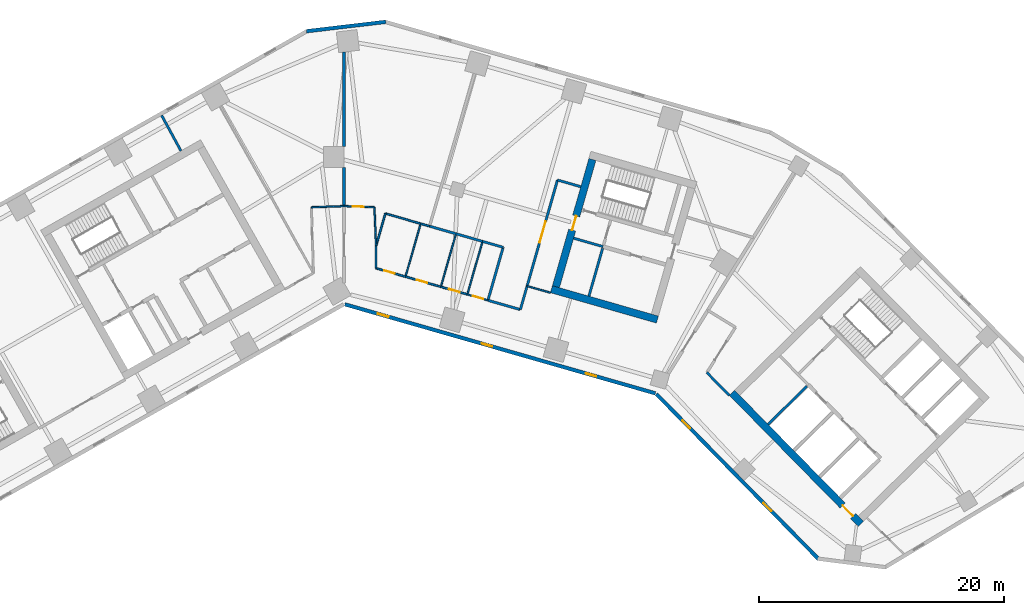
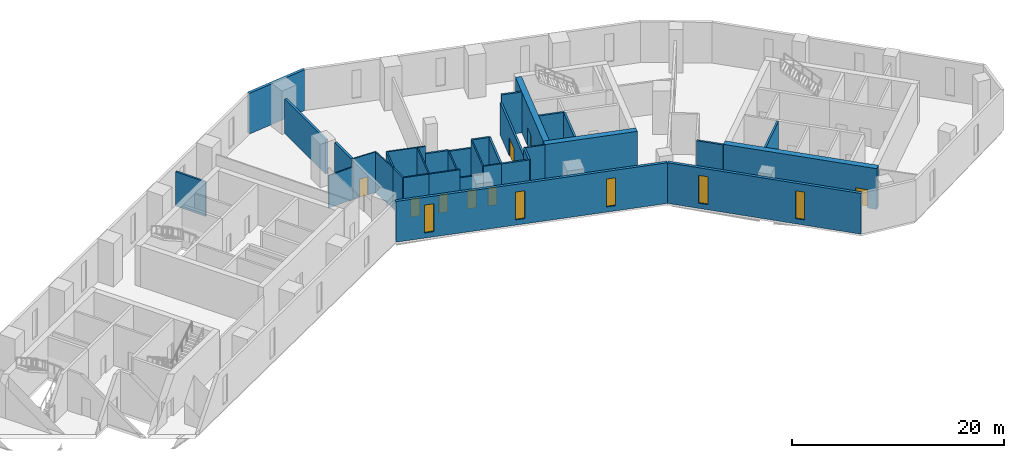
# One storey, part 5 of 10: 36 walls, 8 doors, 5 windows, 13 openings.
"""IFC4 building model written with IfcOpenShell, lengths in metres."""

from ifc_helpers import new_model, si_unit, direction, frame, frame_2d, origin, place, context, subcontext, project, spatial, rectangle, extrude, material, layer, layer_set, type_object, element, fill, save


model = new_model("IFC4")

# Units and contexts
model_context = context("Model", 3, precision=1e-05, world=origin(), true_north=direction((0.0, 1.0)))
body_context = subcontext(model_context, "Body", "Model", "MODEL_VIEW")
ifc_project = project(units=[si_unit("LENGTHUNIT", "METRE"), si_unit("AREAUNIT", "SQUARE_METRE"), si_unit("VOLUMEUNIT", "CUBIC_METRE"), si_unit("PLANEANGLEUNIT", "RADIAN"), si_unit("MASSUNIT", "GRAM", prefix="KILO")], contexts=[model_context])

# Site, building, storey
site_placement = place(None, origin())
site = spatial("IfcSite", under=ifc_project, at=site_placement, CompositionType="ELEMENT")
building_placement = place(site_placement, origin())
building = spatial("IfcBuilding", under=site, at=building_placement, Name="Binnacle Exchange Tower", CompositionType="ELEMENT")
storey_placement = place(building_placement, frame((0.0, 0.0, 51.5)))
storey = spatial("IfcBuildingStorey", under=building, at=storey_placement, Name="L10", CompositionType="ELEMENT", Elevation=51.5)

# Wall, opening, door
ifc_material_1 = material(Name="Concrete C70/85", Category="concrete")
ifc_layer_1 = layer(ifc_material_1, 0.60009765625)
ifc_layer_set_1 = layer_set([ifc_layer_1], Name="Core wall - outer 600")
wall_type_1 = type_object("IfcWallType", Name="Core wall - outer 600", PredefinedType="SOLIDWALL", material=ifc_layer_set_1)
wall_1_placement = place(storey_placement, frame((31.6455078125, 40.7626953125, 0.0), z_axis=(0.0, 0.0, 1.0), x_axis=(0.700911255944, -0.713248491965, 0.0)))
wall_1 = element("IfcWall", 1, at=wall_1_placement, inside=storey, type_object=wall_type_1, Name="Core wall CRWB1", PredefinedType="SOLIDWALL", context=body_context, shape_type="SweptSolid", body=[
    extrude(rectangle(XDim=15.0, YDim=0.60009765625, at=frame_2d((7.5, 0.0))), origin(), (0.0, 0.0, 1.0), 4.679931640625),
])
opening_1_placement = place(wall_1_placement, frame((12.89990234375, 0.0, 0.0)))
opening_1 = element("IfcOpeningElement", 2, at=opening_1_placement, cuts=wall_1, Name="Opening DB7", PredefinedType="OPENING", context=body_context, shape_type="SweptSolid", body=[
    extrude(rectangle(XDim=1.199951171875, YDim=2.10009765625, at=frame_2d((0.60009765625, 1.050048828125))), frame((0.0, 0.31005859375, 0.0), z_axis=(0.0, -1.0, 0.0), x_axis=(1.0, 0.0, 0.0)), (0.0, 0.0, 1.0), 0.6201171875),
])
ifc_material_2 = material(Name="Steel door leaf", Category="steel")
door_type_1 = type_object("IfcDoorType", Name="Fire door 1200", OperationType="NOTDEFINED", PredefinedType="DOOR", material=ifc_material_2)
door_1_placement = place(opening_1_placement, frame((1.199951171875, 0.0, 0.0), z_axis=(0.0, 0.0, 1.0), x_axis=(-1.0, 0.0, 0.0)))
door_1 = element("IfcDoor", 3, at=door_1_placement, inside=storey, type_object=door_type_1, Name="Lift lobby entrance door core B", OperationType="SINGLE_SWING_LEFT", OverallHeight=2.10009765625, OverallWidth=1.199951171875, PredefinedType="DOOR", context=body_context, shape_type="SweptSolid", body=[
    extrude(rectangle(XDim=1.199951171875, YDim=2.10009765625, at=frame_2d((0.60009765625, 1.050048828125))), frame((0.0, 0.02490234375, 0.0), z_axis=(0.0, -1.0, 0.0), x_axis=(1.0, 0.0, 0.0)), (0.0, 0.0, 1.0), 0.050048828125),
])
fill(opening_1, door_1)

# Wall
wall_2_placement = place(storey_placement, frame((16.91064453125, 49.22119140625, 0.0), z_axis=(0.0, 0.0, 1.0), x_axis=(0.96126248289, -0.275634611374, 0.0)))
element("IfcWall", 4, at=wall_2_placement, inside=storey, type_object=wall_type_1, Name="Core wall CRWD1", PredefinedType="SOLIDWALL", context=body_context, shape_type="SweptSolid", body=[
    extrude(rectangle(XDim=9.0, YDim=0.60009765625, at=frame_2d((4.5, 0.0))), origin(), (0.0, 0.0, 1.0), 4.679931640625),
])

# Wall, opening, door
wall_3_placement = place(storey_placement, frame((17.28173828125, 49.427001953125, 0.0), z_axis=(0.0, 0.0, 1.0), x_axis=(0.275631631629, 0.961263337304, 0.0)))
wall_3 = element("IfcWall", 5, at=wall_3_placement, inside=storey, type_object=wall_type_1, Name="Core wall CRWD7", PredefinedType="SOLIDWALL", context=body_context, shape_type="SweptSolid", body=[
    extrude(rectangle(XDim=10.800048828125, YDim=0.60009765625, at=frame_2d((5.39990234375, 0.0))), origin(), (0.0, 0.0, 1.0), 4.679931640625),
])
opening_2_placement = place(wall_3_placement, frame((4.800048828125, 0.0, 0.0)))
opening_2 = element("IfcOpeningElement", 6, at=opening_2_placement, cuts=wall_3, Name="Opening DD5", PredefinedType="OPENING", context=body_context, shape_type="SweptSolid", body=[
    extrude(rectangle(XDim=1.199951171875, YDim=2.10009765625, at=frame_2d((0.60009765625, 1.050048828125))), frame((0.0, 0.31005859375, 0.0), z_axis=(0.0, -1.0, 0.0), x_axis=(1.0, 0.0, 0.0)), (0.0, 0.0, 1.0), 0.6201171875),
])
door_2_placement = place(opening_2_placement, origin())
door_2 = element("IfcDoor", 7, at=door_2_placement, inside=storey, type_object=door_type_1, Name="Vestibule exit door VEST-W", OperationType="SINGLE_SWING_RIGHT", OverallHeight=2.10009765625, OverallWidth=1.199951171875, PredefinedType="DOOR", context=body_context, shape_type="SweptSolid", body=[
    extrude(rectangle(XDim=1.199951171875, YDim=2.10009765625, at=frame_2d((0.60009765625, 1.050048828125))), frame((0.0, 0.02490234375, 0.0), z_axis=(0.0, -1.0, 0.0), x_axis=(1.0, 0.0, 0.0)), (0.0, 0.0, 1.0), 0.050048828125),
])
fill(opening_2, door_2)

# Wall
ifc_material_3 = material(Name="Bronze aluminium cladding", Category="aluminium")
ifc_layer_2 = layer(ifc_material_3, 0.300048828125)
ifc_layer_set_2 = layer_set([ifc_layer_2], Name="External wall - spandrel 300")
wall_type_2 = type_object("IfcWallType", Name="External wall - spandrel 300", PredefinedType="STANDARD", material=ifc_layer_set_2)
wall_4_placement = place(storey_placement, frame((-3.076171875, 70.27294921875, 0.0), z_axis=(0.0, 0.0, 1.0), x_axis=(0.993067743007, 0.117543429416, 0.0)))
element("IfcWall", 8, at=wall_4_placement, inside=storey, type_object=wall_type_2, Name="External wall EW-F02 L10", PredefinedType="STANDARD", context=body_context, shape_type="SweptSolid", body=[
    extrude(rectangle(XDim=6.515625, YDim=0.300048828125, at=frame_2d((3.2578125, 0.0))), origin(), (0.0, 0.0, 1.0), 4.679931640625),
])

# Wall, openings, windows
wall_5_placement = place(storey_placement, frame((25.398193359375, 40.71728515625, 0.0), z_axis=(0.0, 0.0, 1.0), x_axis=(-0.961262423262, 0.275634819324, 0.0)))
wall_5 = element("IfcWall", 9, at=wall_5_placement, inside=storey, type_object=wall_type_2, Name="External wall EW-F08 L10", PredefinedType="STANDARD", context=body_context, shape_type="SweptSolid", body=[
    extrude(rectangle(XDim=26.358642578125, YDim=0.300048828125, at=frame_2d((13.17919921875, 0.0))), origin(), (0.0, 0.0, 1.0), 4.679931640625),
])
opening_3_placement = place(wall_5_placement, frame((22.6640625, 0.0, 0.60009765625)))
opening_3 = element("IfcOpeningElement", 10, at=opening_3_placement, cuts=wall_5, Name="Opening WS1", PredefinedType="OPENING", context=body_context, shape_type="SweptSolid", body=[
    extrude(rectangle(XDim=0.89990234375, YDim=3.199951171875, at=frame_2d((0.449951171875, 1.60009765625))), frame((0.0, 0.159912109375, 0.0), z_axis=(0.0, -1.0, 0.0), x_axis=(1.0, 0.0, 0.0)), (0.0, 0.0, 1.0), 0.320068359375),
])
opening_4_placement = place(wall_5_placement, frame((13.843505859375, 0.0, 0.60009765625)))
opening_4 = element("IfcOpeningElement", 11, at=opening_4_placement, cuts=wall_5, Name="Opening WS1", PredefinedType="OPENING", context=body_context, shape_type="SweptSolid", body=[
    extrude(rectangle(XDim=0.89990234375, YDim=3.199951171875, at=frame_2d((0.449951171875, 1.60009765625))), frame((0.0, 0.159912109375, 0.0), z_axis=(0.0, -1.0, 0.0), x_axis=(1.0, 0.0, 0.0)), (0.0, 0.0, 1.0), 0.320068359375),
])
opening_5_placement = place(wall_5_placement, frame((5.023193359375, 0.0, 0.60009765625)))
opening_5 = element("IfcOpeningElement", 12, at=opening_5_placement, cuts=wall_5, Name="Opening WS1", PredefinedType="OPENING", context=body_context, shape_type="SweptSolid", body=[
    extrude(rectangle(XDim=0.89990234375, YDim=3.199951171875, at=frame_2d((0.449951171875, 1.60009765625))), frame((0.0, 0.159912109375, 0.0), z_axis=(0.0, -1.0, 0.0), x_axis=(1.0, 0.0, 0.0)), (0.0, 0.0, 1.0), 0.320068359375),
])
ifc_material_4 = material(Name="Bronze anodised aluminium frame", Category="aluminium")
window_type = type_object("IfcWindowType", Name="WS1 WINDOW 900x3200", PartitioningType="SINGLE_PANEL", PredefinedType="WINDOW", material=ifc_material_4)
window_1_placement = place(opening_3_placement, origin())
window_1 = element("IfcWindow", 13, at=window_1_placement, inside=storey, type_object=window_type, Name="Window WS1 L10", OverallHeight=3.199951171875, OverallWidth=0.89990234375, PartitioningType="SINGLE_PANEL", PredefinedType="WINDOW", context=body_context, shape_type="SweptSolid", body=[
    extrude(rectangle(XDim=0.89990234375, YDim=3.199951171875, at=frame_2d((0.449951171875, 1.60009765625))), frame((0.0, 0.030029296875, 0.0), z_axis=(0.0, -1.0, 0.0), x_axis=(1.0, 0.0, 0.0)), (0.0, 0.0, 1.0), 0.06005859375),
])
fill(opening_3, window_1)
window_2_placement = place(opening_4_placement, origin())
window_2 = element("IfcWindow", 14, at=window_2_placement, inside=storey, type_object=window_type, Name="Window WS1 L10", OverallHeight=3.199951171875, OverallWidth=0.89990234375, PartitioningType="SINGLE_PANEL", PredefinedType="WINDOW", context=body_context, shape_type="SweptSolid", body=[
    extrude(rectangle(XDim=0.89990234375, YDim=3.199951171875, at=frame_2d((0.449951171875, 1.60009765625))), frame((0.0, 0.030029296875, 0.0), z_axis=(0.0, -1.0, 0.0), x_axis=(1.0, 0.0, 0.0)), (0.0, 0.0, 1.0), 0.06005859375),
])
fill(opening_4, window_2)
window_3_placement = place(opening_5_placement, origin())
window_3 = element("IfcWindow", 15, at=window_3_placement, inside=storey, type_object=window_type, Name="Window WS1 L10", OverallHeight=3.199951171875, OverallWidth=0.89990234375, PartitioningType="SINGLE_PANEL", PredefinedType="WINDOW", context=body_context, shape_type="SweptSolid", body=[
    extrude(rectangle(XDim=0.89990234375, YDim=3.199951171875, at=frame_2d((0.449951171875, 1.60009765625))), frame((0.0, 0.030029296875, 0.0), z_axis=(0.0, -1.0, 0.0), x_axis=(1.0, 0.0, 0.0)), (0.0, 0.0, 1.0), 0.06005859375),
])
fill(opening_5, window_3)

wall_6_placement = place(storey_placement, frame((38.727294921875, 27.18115234375, 0.0), z_axis=(0.0, 0.0, 1.0), x_axis=(-0.700906405975, 0.713253258011, 0.0)))
wall_6 = element("IfcWall", 16, at=wall_6_placement, inside=storey, type_object=wall_type_2, Name="External wall EW-F09 L10", PredefinedType="STANDARD", context=body_context, shape_type="SweptSolid", body=[
    extrude(rectangle(XDim=18.92333984375, YDim=0.300048828125, at=frame_2d((9.461669921875, 0.0))), origin(), (0.0, 0.0, 1.0), 4.679931640625),
])
opening_6_placement = place(wall_6_placement, frame((14.967041015625, 0.0, 0.60009765625)))
opening_6 = element("IfcOpeningElement", 17, at=opening_6_placement, cuts=wall_6, Name="Opening WS1", PredefinedType="OPENING", context=body_context, shape_type="SweptSolid", body=[
    extrude(rectangle(XDim=0.89990234375, YDim=3.199951171875, at=frame_2d((0.449951171875, 1.60009765625))), frame((0.0, 0.159912109375, 0.0), z_axis=(0.0, -1.0, 0.0), x_axis=(1.0, 0.0, 0.0)), (0.0, 0.0, 1.0), 0.320068359375),
])
opening_7_placement = place(wall_6_placement, frame((5.51171875, 0.0, 0.60009765625)))
opening_7 = element("IfcOpeningElement", 18, at=opening_7_placement, cuts=wall_6, Name="Opening WS1", PredefinedType="OPENING", context=body_context, shape_type="SweptSolid", body=[
    extrude(rectangle(XDim=0.89990234375, YDim=3.199951171875, at=frame_2d((0.449951171875, 1.60009765625))), frame((0.0, 0.159912109375, 0.0), z_axis=(0.0, -1.0, 0.0), x_axis=(1.0, 0.0, 0.0)), (0.0, 0.0, 1.0), 0.320068359375),
])
window_4_placement = place(opening_6_placement, origin())
window_4 = element("IfcWindow", 19, at=window_4_placement, inside=storey, type_object=window_type, Name="Window WS1 L10", OverallHeight=3.199951171875, OverallWidth=0.89990234375, PartitioningType="SINGLE_PANEL", PredefinedType="WINDOW", context=body_context, shape_type="SweptSolid", body=[
    extrude(rectangle(XDim=0.89990234375, YDim=3.199951171875, at=frame_2d((0.449951171875, 1.60009765625))), frame((0.0, 0.030029296875, 0.0), z_axis=(0.0, -1.0, 0.0), x_axis=(1.0, 0.0, 0.0)), (0.0, 0.0, 1.0), 0.06005859375),
])
fill(opening_6, window_4)
window_5_placement = place(opening_7_placement, origin())
window_5 = element("IfcWindow", 20, at=window_5_placement, inside=storey, type_object=window_type, Name="Window WS1 L10", OverallHeight=3.199951171875, OverallWidth=0.89990234375, PartitioningType="SINGLE_PANEL", PredefinedType="WINDOW", context=body_context, shape_type="SweptSolid", body=[
    extrude(rectangle(XDim=0.89990234375, YDim=3.199951171875, at=frame_2d((0.449951171875, 1.60009765625))), frame((0.0, 0.030029296875, 0.0), z_axis=(0.0, -1.0, 0.0), x_axis=(1.0, 0.0, 0.0)), (0.0, 0.0, 1.0), 0.06005859375),
])
fill(opening_7, window_5)

# Walls
ifc_material_5 = material(Name="Masonry block wall", Category="masonry")
ifc_layer_3 = layer(ifc_material_5, 0.199951171875)
ifc_layer_set_3 = layer_set([ifc_layer_3], Name="Fire wall - block 200")
wall_type_3 = type_object("IfcWallType", Name="Fire wall - block 200", PredefinedType="PARTITIONING", material=ifc_layer_set_3)
wall_7_placement = place(storey_placement, frame((-14.89404296875, 63.40087890625, 0.0), z_axis=(0.0, 0.0, 1.0), x_axis=(0.478389929376, -0.878147524891, 0.0)))
element("IfcWall", 21, at=wall_7_placement, inside=storey, type_object=wall_type_3, Name="Partition W05", PredefinedType="PARTITIONING", context=body_context, shape_type="SweptSolid", body=[
    extrude(rectangle(XDim=3.294189453125, YDim=0.199951171875, at=frame_2d((1.64697265625, 0.0))), origin(), (0.0, 0.0, 1.0), 3.9599609375),
])
wall_8_placement = place(storey_placement, frame((6.966064453125, 54.362060546875, 0.0), z_axis=(0.0, 0.0, 1.0), x_axis=(0.961154610169, -0.276010534854, 0.0)))
element("IfcWall", 22, at=wall_8_placement, inside=storey, type_object=wall_type_3, Name="Partition W22", PredefinedType="PARTITIONING", context=body_context, shape_type="SweptSolid", body=[
    extrude(rectangle(XDim=2.250244140625, YDim=0.199951171875, at=frame_2d((1.125, 0.0))), origin(), (0.0, 0.0, 1.0), 3.85205078125),
])
wall_9_placement = place(storey_placement, frame((9.12890625, 53.740966796875, 0.0), z_axis=(0.0, 0.0, 1.0), x_axis=(0.961273691875, -0.275595517578, 0.0)))
element("IfcWall", 23, at=wall_9_placement, inside=storey, type_object=wall_type_3, Name="Partition W26", PredefinedType="PARTITIONING", context=body_context, shape_type="SweptSolid", body=[
    extrude(rectangle(XDim=2.249267578125, YDim=0.199951171875, at=frame_2d((1.12451171875, 0.0))), origin(), (0.0, 0.0, 1.0), 3.741943359375),
])
wall_10_placement = place(storey_placement, frame((11.291015625, 53.12109375, 0.0), z_axis=(0.0, 0.0, 1.0), x_axis=(0.961329010357, -0.275402494264, 0.0)))
element("IfcWall", 24, at=wall_10_placement, inside=storey, type_object=wall_type_3, Name="Partition W29", PredefinedType="PARTITIONING", context=body_context, shape_type="SweptSolid", body=[
    extrude(rectangle(XDim=1.750732421875, YDim=0.199951171875, at=frame_2d((0.87548828125, 0.0))), origin(), (0.0, 0.0, 1.0), 4.679931640625),
])
wall_11_placement = place(storey_placement, frame((11.73291015625, 48.31298828125, 0.0), z_axis=(0.0, 0.0, 1.0), x_axis=(0.275795676316, 0.961216284155, 0.0)))
element("IfcWall", 25, at=wall_11_placement, inside=storey, type_object=wall_type_3, Name="Partition W30", PredefinedType="PARTITIONING", context=body_context, shape_type="SweptSolid", body=[
    extrude(rectangle(XDim=4.50048828125, YDim=0.199951171875, at=frame_2d((2.250244140625, 0.0))), origin(), (0.0, 0.0, 1.0), 4.679931640625),
])
wall_12_placement = place(storey_placement, frame((11.73291015625, 48.31298828125, 0.0), z_axis=(0.0, 0.0, 1.0), x_axis=(0.961272337704, -0.275600240865, 0.0)))
element("IfcWall", 26, at=wall_12_placement, inside=storey, type_object=wall_type_3, Name="Partition W31", PredefinedType="PARTITIONING", context=body_context, shape_type="SweptSolid", body=[
    extrude(rectangle(XDim=2.75048828125, YDim=0.199951171875, at=frame_2d((1.375244140625, 0.0))), origin(), (0.0, 0.0, 1.0), 4.679931640625),
])
wall_13_placement = place(storey_placement, frame((14.376953125, 47.554931640625, 0.0), z_axis=(0.0, 0.0, 1.0), x_axis=(0.275446387355, 0.961316434736, 0.0)))
element("IfcWall", 27, at=wall_13_placement, inside=storey, type_object=wall_type_3, Name="Partition W32", PredefinedType="PARTITIONING", context=body_context, shape_type="SweptSolid", body=[
    extrude(rectangle(XDim=2.00048828125, YDim=0.199951171875, at=frame_2d((1.000244140625, 0.0))), origin(), (0.0, 0.0, 1.0), 4.679931640625),
])

# Wall, opening, door
wall_14_placement = place(storey_placement, frame((14.927978515625, 49.47802734375, 0.0), z_axis=(0.0, 0.0, 1.0), x_axis=(0.275674053528, 0.961251172281, 0.0)))
wall_14 = element("IfcWall", 28, at=wall_14_placement, inside=storey, type_object=wall_type_3, Name="Partition W34", PredefinedType="PARTITIONING", context=body_context, shape_type="SweptSolid", body=[
    extrude(rectangle(XDim=8.99951171875, YDim=0.199951171875, at=frame_2d((4.499755859375, 0.0))), origin(), (0.0, 0.0, 1.0), 3.741943359375),
])
opening_8_placement = place(wall_14_placement, frame((3.699951171875, 0.0, 0.0)))
opening_8 = element("IfcOpeningElement", 29, at=opening_8_placement, cuts=wall_14, Name="Opening DL08-10", PredefinedType="OPENING", context=body_context, shape_type="SweptSolid", body=[
    extrude(rectangle(XDim=1.800048828125, YDim=2.10009765625, at=frame_2d((0.89990234375, 1.050048828125))), frame((0.0, 0.10986328125, 0.0), z_axis=(0.0, -1.0, 0.0), x_axis=(1.0, 0.0, 0.0)), (0.0, 0.0, 1.0), 0.219970703125),
])
door_type_2 = type_object("IfcDoorType", Name="Fire door 1800", OperationType="NOTDEFINED", PredefinedType="DOOR", material=ifc_material_2)
door_3_placement = place(opening_8_placement, origin())
door_3 = element("IfcDoor", 30, at=door_3_placement, inside=storey, type_object=door_type_2, Name="Door DL08-10", OperationType="DOUBLE_DOOR_SINGLE_SWING", OverallHeight=2.10009765625, OverallWidth=1.800048828125, PredefinedType="DOOR", context=body_context, shape_type="SweptSolid", body=[
    extrude(rectangle(XDim=1.800048828125, YDim=2.10009765625, at=frame_2d((0.89990234375, 1.050048828125))), frame((0.0, 0.02490234375, 0.0), z_axis=(0.0, -1.0, 0.0), x_axis=(1.0, 0.0, 0.0)), (0.0, 0.0, 1.0), 0.050048828125),
])
fill(opening_8, door_3)

# Walls
wall_15_placement = place(storey_placement, frame((17.408935546875, 58.12890625, 0.0), z_axis=(0.0, 0.0, 1.0), x_axis=(0.961253165474, -0.275667103345, 0.0)))
element("IfcWall", 31, at=wall_15_placement, inside=storey, type_object=wall_type_3, Name="Partition W35", PredefinedType="PARTITIONING", context=body_context, shape_type="SweptSolid", body=[
    extrude(rectangle(XDim=1.976806640625, YDim=0.199951171875, at=frame_2d((0.98828125, 0.0))), origin(), (0.0, 0.0, 1.0), 4.679931640625),
])
wall_16_placement = place(storey_placement, frame((29.60009765625, 42.416015625, 0.0), z_axis=(0.0, 0.0, 1.0), x_axis=(0.700914320664, -0.713245480244, 0.0)))
element("IfcWall", 32, at=wall_16_placement, inside=storey, type_object=wall_type_3, Name="Partition W38", PredefinedType="PARTITIONING", context=body_context, shape_type="SweptSolid", body=[
    extrude(rectangle(XDim=2.613525390625, YDim=0.199951171875, at=frame_2d((1.306640625, 0.0))), origin(), (0.0, 0.0, 1.0), 4.679931640625),
])
ifc_material_6 = material(Name="Concrete fire wall C30/37", Category="concrete")
ifc_layer_4 = layer(ifc_material_6, 0.25)
ifc_layer_set_4 = layer_set([ifc_layer_4], Name="Fire wall - compartment 250")
wall_type_4 = type_object("IfcWallType", Name="Fire wall - compartment 250", PredefinedType="PARTITIONING", material=ifc_layer_set_4)
wall_17_placement = place(storey_placement, frame((0.0, 56.0, 0.0), z_axis=(0.0, 0.0, 1.0), x_axis=(0.0, 1.0, 0.0)))
element("IfcWall", 33, at=wall_17_placement, inside=storey, type_object=wall_type_4, Name="Fire Wall W11", PredefinedType="PARTITIONING", context=body_context, shape_type="SweptSolid", body=[
    extrude(rectangle(XDim=3.14990234375, YDim=0.25, at=frame_2d((1.574951171875, 0.0))), origin(), (0.0, 0.0, 1.0), 4.679931640625),
])
wall_18_placement = place(storey_placement, frame((0.0, 60.85009765625, 0.0), z_axis=(0.0, 0.0, 1.0), x_axis=(0.0, 1.0, 0.0)))
element("IfcWall", 34, at=wall_18_placement, inside=storey, type_object=wall_type_4, Name="Fire Wall W13", PredefinedType="PARTITIONING", context=body_context, shape_type="SweptSolid", body=[
    extrude(rectangle(XDim=7.722900390625, YDim=0.25, at=frame_2d((3.861328125, 0.0))), origin(), (0.0, 0.0, 1.0), 3.951904296875),
])
ifc_material_7 = material(Name="Gypsum partition fire rated")
ifc_layer_5 = layer(ifc_material_7, 0.14990234375)
ifc_layer_set_5 = layer_set([ifc_layer_5], Name="Fire-rated partition 150")
wall_type_5 = type_object("IfcWallType", Name="Fire-rated partition 150", PredefinedType="PARTITIONING", material=ifc_layer_set_5)
wall_19_placement = place(storey_placement, frame((2.60107421875, 50.931884765625, 0.0), z_axis=(0.0, 0.0, 1.0), x_axis=(0.001073104681, 0.999999424223, 0.0)))
element("IfcWall", 35, at=wall_19_placement, inside=storey, type_object=wall_type_5, Name="Partition W15", PredefinedType="PARTITIONING", context=body_context, shape_type="SweptSolid", body=[
    extrude(rectangle(XDim=1.820068359375, YDim=0.14990234375, at=frame_2d((0.91015625, 0.0))), origin(), (0.0, 0.0, 1.0), 4.679931640625),
])

# Wall, opening, door
wall_20_placement = place(storey_placement, frame((2.60107421875, 50.931884765625, 0.0), z_axis=(0.0, 0.0, 1.0), x_axis=(0.961265528111, -0.275623991092, 0.0)))
wall_20 = element("IfcWall", 36, at=wall_20_placement, inside=storey, type_object=wall_type_5, Name="Partition W16", PredefinedType="PARTITIONING", context=body_context, shape_type="SweptSolid", body=[
    extrude(rectangle(XDim=2.499755859375, YDim=0.14990234375, at=frame_2d((1.25, 0.0))), origin(), (0.0, 0.0, 1.0), 4.679931640625),
])
opening_9_placement = place(wall_20_placement, frame((0.699951171875, 0.0, 0.0)))
opening_9 = element("IfcOpeningElement", 37, at=opening_9_placement, cuts=wall_20, Name="Opening DL08-05", PredefinedType="OPENING", context=body_context, shape_type="SweptSolid", body=[
    extrude(rectangle(XDim=0.89990234375, YDim=2.10009765625, at=frame_2d((0.449951171875, 1.050048828125))), frame((0.0, 0.0849609375, 0.0), z_axis=(0.0, -1.0, 0.0), x_axis=(1.0, 0.0, 0.0)), (0.0, 0.0, 1.0), 0.169921875),
])
door_type_3 = type_object("IfcDoorType", Name="Fire door 900", OperationType="NOTDEFINED", PredefinedType="DOOR", material=ifc_material_2)
door_4_placement = place(opening_9_placement, origin())
door_4 = element("IfcDoor", 38, at=door_4_placement, inside=storey, type_object=door_type_3, Name="Door DL08-05", OperationType="SINGLE_SWING_LEFT", OverallHeight=2.10009765625, OverallWidth=0.89990234375, PredefinedType="DOOR", context=body_context, shape_type="SweptSolid", body=[
    extrude(rectangle(XDim=0.89990234375, YDim=2.10009765625, at=frame_2d((0.449951171875, 1.050048828125))), frame((0.0, 0.02490234375, 0.0), z_axis=(0.0, -1.0, 0.0), x_axis=(1.0, 0.0, 0.0)), (0.0, 0.0, 1.0), 0.050048828125),
])
fill(opening_9, door_4)

# Walls
wall_21_placement = place(storey_placement, frame((2.60302734375, 52.751953125, 0.0), z_axis=(0.0, 0.0, 1.0), x_axis=(0.27569433145, 0.961245356611, 0.0)))
element("IfcWall", 39, at=wall_21_placement, inside=storey, type_object=wall_type_5, Name="Partition W17", PredefinedType="PARTITIONING", context=body_context, shape_type="SweptSolid", body=[
    extrude(rectangle(XDim=2.74951171875, YDim=0.14990234375, at=frame_2d((1.374755859375, 0.0))), origin(), (0.0, 0.0, 1.0), 4.679931640625),
])
wall_22_placement = place(storey_placement, frame((3.361083984375, 55.39501953125, 0.0), z_axis=(0.0, 0.0, 1.0), x_axis=(0.961268664977, -0.27561305073, 0.0)))
element("IfcWall", 40, at=wall_22_placement, inside=storey, type_object=wall_type_5, Name="Partition W18", PredefinedType="PARTITIONING", context=body_context, shape_type="SweptSolid", body=[
    extrude(rectangle(XDim=3.000244140625, YDim=0.14990234375, at=frame_2d((1.5, 0.0))), origin(), (0.0, 0.0, 1.0), 4.679931640625),
])

# Wall, opening, door
wall_23_placement = place(storey_placement, frame((5.00390625, 50.242919921875, 0.0), z_axis=(0.0, 0.0, 1.0), x_axis=(0.961268664977, -0.27561305073, 0.0)))
wall_23 = element("IfcWall", 41, at=wall_23_placement, inside=storey, type_object=wall_type_5, Name="Partition W20", PredefinedType="PARTITIONING", context=body_context, shape_type="SweptSolid", body=[
    extrude(rectangle(XDim=3.000244140625, YDim=0.14990234375, at=frame_2d((1.5, 0.0))), origin(), (0.0, 0.0, 1.0), 4.679931640625),
])
opening_10_placement = place(wall_23_placement, frame((0.949951171875, 0.0, 0.0)))
opening_10 = element("IfcOpeningElement", 42, at=opening_10_placement, cuts=wall_23, Name="Opening DL08-06", PredefinedType="OPENING", context=body_context, shape_type="SweptSolid", body=[
    extrude(rectangle(XDim=0.89990234375, YDim=2.10009765625, at=frame_2d((0.449951171875, 1.050048828125))), frame((0.0, 0.0849609375, 0.0), z_axis=(0.0, -1.0, 0.0), x_axis=(1.0, 0.0, 0.0)), (0.0, 0.0, 1.0), 0.169921875),
])
door_5_placement = place(opening_10_placement, origin())
door_5 = element("IfcDoor", 43, at=door_5_placement, inside=storey, type_object=door_type_3, Name="Door DL08-06", OperationType="SINGLE_SWING_LEFT", OverallHeight=2.10009765625, OverallWidth=0.89990234375, PredefinedType="DOOR", context=body_context, shape_type="SweptSolid", body=[
    extrude(rectangle(XDim=0.89990234375, YDim=2.10009765625, at=frame_2d((0.449951171875, 1.050048828125))), frame((0.0, 0.02490234375, 0.0), z_axis=(0.0, -1.0, 0.0), x_axis=(1.0, 0.0, 0.0)), (0.0, 0.0, 1.0), 0.050048828125),
])
fill(opening_10, door_5)

# Wall
wall_24_placement = place(storey_placement, frame((6.2451171875, 54.568115234375, 0.0), z_axis=(0.0, 0.0, 1.0), x_axis=(0.961499370144, -0.274807134575, 0.0)))
element("IfcWall", 44, at=wall_24_placement, inside=storey, type_object=wall_type_5, Name="Partition W21", PredefinedType="PARTITIONING", context=body_context, shape_type="SweptSolid", body=[
    extrude(rectangle(XDim=0.749755859375, YDim=0.14990234375, at=frame_2d((0.375, 0.0))), origin(), (0.0, 0.0, 1.0), 4.679931640625),
])

# Wall, opening, door
wall_25_placement = place(storey_placement, frame((7.887939453125, 49.416015625, 0.0), z_axis=(0.0, 0.0, 1.0), x_axis=(0.9611628742, -0.275981755301, 0.0)))
wall_25 = element("IfcWall", 45, at=wall_25_placement, inside=storey, type_object=wall_type_5, Name="Partition W25", PredefinedType="PARTITIONING", context=body_context, shape_type="SweptSolid", body=[
    extrude(rectangle(XDim=2.25048828125, YDim=0.14990234375, at=frame_2d((1.125244140625, 0.0))), origin(), (0.0, 0.0, 1.0), 3.741943359375),
])
opening_11_placement = place(wall_25_placement, frame((0.699951171875, 0.0, 0.0)))
opening_11 = element("IfcOpeningElement", 46, at=opening_11_placement, cuts=wall_25, Name="Opening DL08-07", PredefinedType="OPENING", context=body_context, shape_type="SweptSolid", body=[
    extrude(rectangle(XDim=0.89990234375, YDim=2.10009765625, at=frame_2d((0.449951171875, 1.050048828125))), frame((0.0, 0.0849609375, 0.0), z_axis=(0.0, -1.0, 0.0), x_axis=(1.0, 0.0, 0.0)), (0.0, 0.0, 1.0), 0.169921875),
])
door_6_placement = place(opening_11_placement, origin())
door_6 = element("IfcDoor", 47, at=door_6_placement, inside=storey, type_object=door_type_3, Name="Door DL08-07", OperationType="SINGLE_SWING_RIGHT", OverallHeight=2.10009765625, OverallWidth=0.89990234375, PredefinedType="DOOR", context=body_context, shape_type="SweptSolid", body=[
    extrude(rectangle(XDim=0.89990234375, YDim=2.10009765625, at=frame_2d((0.449951171875, 1.050048828125))), frame((0.0, 0.02490234375, 0.0), z_axis=(0.0, -1.0, 0.0), x_axis=(1.0, 0.0, 0.0)), (0.0, 0.0, 1.0), 0.050048828125),
])
fill(opening_11, door_6)

# Wall
ifc_material_8 = material(Name="Gypsum partition")
ifc_layer_6 = layer(ifc_material_8, 0.125)
ifc_layer_set_6 = layer_set([ifc_layer_6], Name="Partition 125")
wall_type_6 = type_object("IfcWallType", Name="Partition 125", PredefinedType="PARTITIONING", material=ifc_layer_set_6)
wall_26_placement = place(storey_placement, frame((-2.669921875, 55.904052734375, 0.0), z_axis=(0.0, 0.0, 1.0), x_axis=(0.999354913865, 0.03591317494, 0.0)))
element("IfcWall", 48, at=wall_26_placement, inside=storey, type_object=wall_type_6, Name="Partition W09", PredefinedType="PARTITIONING", context=body_context, shape_type="SweptSolid", body=[
    extrude(rectangle(XDim=2.671630859375, YDim=0.125, at=frame_2d((1.3359375, 0.0))), origin(), (0.0, 0.0, 1.0), 3.741943359375),
])

# Wall, opening, door
wall_27_placement = place(storey_placement, frame((0.0, 56.0, 0.0), z_axis=(0.0, 0.0, 1.0), x_axis=(0.999349313684, -0.036068673934, 0.0)))
wall_27 = element("IfcWall", 49, at=wall_27_placement, inside=storey, type_object=wall_type_6, Name="Partition W12", PredefinedType="PARTITIONING", context=body_context, shape_type="SweptSolid", body=[
    extrude(rectangle(XDim=2.470703125, YDim=0.125, at=frame_2d((1.2353515625, 0.0))), origin(), (0.0, 0.0, 1.0), 4.679931640625),
])
opening_12_placement = place(wall_27_placement, frame((0.699951171875, 0.0, 0.0)))
opening_12 = element("IfcOpeningElement", 50, at=opening_12_placement, cuts=wall_27, Name="Opening DL08-09", PredefinedType="OPENING", context=body_context, shape_type="SweptSolid", body=[
    extrude(rectangle(XDim=0.89990234375, YDim=2.10009765625, at=frame_2d((0.449951171875, 1.050048828125))), frame((0.0, 0.072509765625, 0.0), z_axis=(0.0, -1.0, 0.0), x_axis=(1.0, 0.0, 0.0)), (0.0, 0.0, 1.0), 0.14501953125),
])
ifc_material_9 = material(Name="Timber door leaf", Category="wood")
door_type_4 = type_object("IfcDoorType", Name="Door 900", OperationType="NOTDEFINED", PredefinedType="DOOR", material=ifc_material_9)
door_7_placement = place(opening_12_placement, origin())
door_7 = element("IfcDoor", 51, at=door_7_placement, inside=storey, type_object=door_type_4, Name="Door DL08-09", OperationType="SINGLE_SWING_LEFT", OverallHeight=2.10009765625, OverallWidth=0.89990234375, PredefinedType="DOOR", context=body_context, shape_type="SweptSolid", body=[
    extrude(rectangle(XDim=0.89990234375, YDim=2.10009765625, at=frame_2d((0.449951171875, 1.050048828125))), frame((0.0, 0.02490234375, 0.0), z_axis=(0.0, -1.0, 0.0), x_axis=(1.0, 0.0, 0.0)), (0.0, 0.0, 1.0), 0.050048828125),
])
fill(opening_12, door_7)

# Walls
wall_28_placement = place(storey_placement, frame((2.468994140625, 55.910888671875, 0.0), z_axis=(0.0, 0.0, 1.0), x_axis=(0.042391721597, -0.99910106693, 0.0)))
element("IfcWall", 52, at=wall_28_placement, inside=storey, type_object=wall_type_6, Name="Partition W14", PredefinedType="PARTITIONING", context=body_context, shape_type="SweptSolid", body=[
    extrude(rectangle(XDim=3.161865234375, YDim=0.125, at=frame_2d((1.5810546875, 0.0))), origin(), (0.0, 0.0, 1.0), 4.679931640625),
])
wall_29_placement = place(storey_placement, frame((5.00390625, 50.242919921875, 0.0), z_axis=(0.0, 0.0, 1.0), x_axis=(0.275838825927, 0.961203902464, 0.0)))
element("IfcWall", 53, at=wall_29_placement, inside=storey, type_object=wall_type_6, Name="Partition W19", PredefinedType="PARTITIONING", context=body_context, shape_type="SweptSolid", body=[
    extrude(rectangle(XDim=4.499755859375, YDim=0.125, at=frame_2d((2.25, 0.0))), origin(), (0.0, 0.0, 1.0), 4.679931640625),
])
wall_30_placement = place(storey_placement, frame((7.887939453125, 49.416015625, 0.0), z_axis=(0.0, 0.0, 1.0), x_axis=(0.275803080638, 0.96121415965, 0.0)))
element("IfcWall", 54, at=wall_30_placement, inside=storey, type_object=wall_type_6, Name="Partition W24", PredefinedType="PARTITIONING", context=body_context, shape_type="SweptSolid", body=[
    extrude(rectangle(XDim=4.49951171875, YDim=0.125, at=frame_2d((2.249755859375, 0.0))), origin(), (0.0, 0.0, 1.0), 3.85205078125),
])
wall_31_placement = place(storey_placement, frame((10.051025390625, 48.794921875, 0.0), z_axis=(0.0, 0.0, 1.0), x_axis=(0.275530671241, 0.961292280841, 0.0)))
element("IfcWall", 55, at=wall_31_placement, inside=storey, type_object=wall_type_6, Name="Partition W27", PredefinedType="PARTITIONING", context=body_context, shape_type="SweptSolid", body=[
    extrude(rectangle(XDim=4.50048828125, YDim=0.125, at=frame_2d((2.250244140625, 0.0))), origin(), (0.0, 0.0, 1.0), 4.679931640625),
])

# Wall, opening, door
wall_32_placement = place(storey_placement, frame((10.051025390625, 48.794921875, 0.0), z_axis=(0.0, 0.0, 1.0), x_axis=(0.961313033798, -0.275458256455, 0.0)))
wall_32 = element("IfcWall", 56, at=wall_32_placement, inside=storey, type_object=wall_type_6, Name="Partition W28", PredefinedType="PARTITIONING", context=body_context, shape_type="SweptSolid", body=[
    extrude(rectangle(XDim=1.74951171875, YDim=0.125, at=frame_2d((0.874755859375, 0.0))), origin(), (0.0, 0.0, 1.0), 4.679931640625),
])
opening_13_placement = place(wall_32_placement, frame((0.449951171875, 0.0, 0.0)))
opening_13 = element("IfcOpeningElement", 57, at=opening_13_placement, cuts=wall_32, Name="Opening DL08-08", PredefinedType="OPENING", context=body_context, shape_type="SweptSolid", body=[
    extrude(rectangle(XDim=0.89990234375, YDim=2.10009765625, at=frame_2d((0.449951171875, 1.050048828125))), frame((0.0, 0.072509765625, 0.0), z_axis=(0.0, -1.0, 0.0), x_axis=(1.0, 0.0, 0.0)), (0.0, 0.0, 1.0), 0.14501953125),
])
door_8_placement = place(opening_13_placement, origin())
door_8 = element("IfcDoor", 58, at=door_8_placement, inside=storey, type_object=door_type_4, Name="Door DL08-08", OperationType="SINGLE_SWING_RIGHT", OverallHeight=2.10009765625, OverallWidth=0.89990234375, PredefinedType="DOOR", context=body_context, shape_type="SweptSolid", body=[
    extrude(rectangle(XDim=0.89990234375, YDim=2.10009765625, at=frame_2d((0.449951171875, 1.050048828125))), frame((0.0, 0.02490234375, 0.0), z_axis=(0.0, -1.0, 0.0), x_axis=(1.0, 0.0, 0.0)), (0.0, 0.0, 1.0), 0.050048828125),
])
fill(opening_13, door_8)

# Walls
wall_33_placement = place(storey_placement, frame((14.927978515625, 49.47802734375, 0.0), z_axis=(0.0, 0.0, 1.0), x_axis=(0.961243778232, -0.27569983462, 0.0)))
element("IfcWall", 59, at=wall_33_placement, inside=storey, type_object=wall_type_6, Name="Partition W33", PredefinedType="PARTITIONING", context=body_context, shape_type="SweptSolid", body=[
    extrude(rectangle(XDim=1.9765625, YDim=0.125, at=frame_2d((0.98828125, 0.0))), origin(), (0.0, 0.0, 1.0), 4.679931640625),
])
ifc_layer_7 = layer(ifc_material_5, 0.199951171875)
ifc_layer_set_7 = layer_set([ifc_layer_7], Name="Riser wall 200")
wall_type_7 = type_object("IfcWallType", Name="Riser wall 200", PredefinedType="SOLIDWALL", material=ifc_layer_set_7)
wall_34_placement = place(storey_placement, frame((34.59326171875, 38.19140625, 0.0), z_axis=(0.0, 0.0, 1.0), x_axis=(0.713252216116, 0.700907466222, 0.0)))
element("IfcWall", 60, at=wall_34_placement, inside=storey, type_object=wall_type_7, Name="Core wall CRWB9", PredefinedType="SOLIDWALL", context=body_context, shape_type="SweptSolid", body=[
    extrude(rectangle(XDim=4.44970703125, YDim=0.199951171875, at=frame_2d((2.224853515625, 0.0))), origin(), (0.0, 0.0, 1.0), 4.679931640625),
])
wall_35_placement = place(storey_placement, frame((18.727783203125, 53.381591796875, 0.0), z_axis=(0.0, 0.0, 1.0), x_axis=(0.961247070632, -0.275688355216, 0.0)))
element("IfcWall", 61, at=wall_35_placement, inside=storey, type_object=wall_type_7, Name="Core wall CRWD2", PredefinedType="SOLIDWALL", context=body_context, shape_type="SweptSolid", body=[
    extrude(rectangle(XDim=2.5, YDim=0.199951171875, at=frame_2d((1.25, 0.0))), origin(), (0.0, 0.0, 1.0), 4.679931640625),
])
wall_36_placement = place(storey_placement, frame((19.97314453125, 48.6552734375, 0.0), z_axis=(0.0, 0.0, 1.0), x_axis=(0.275668441653, 0.961252781674, 0.0)))
element("IfcWall", 62, at=wall_36_placement, inside=storey, type_object=wall_type_7, Name="Core wall CRWD8", PredefinedType="SOLIDWALL", context=body_context, shape_type="SweptSolid", body=[
    extrude(rectangle(XDim=4.050048828125, YDim=0.199951171875, at=frame_2d((2.02490234375, 0.0))), origin(), (0.0, 0.0, 1.0), 4.679931640625),
])

save(model, "model.ifc")
